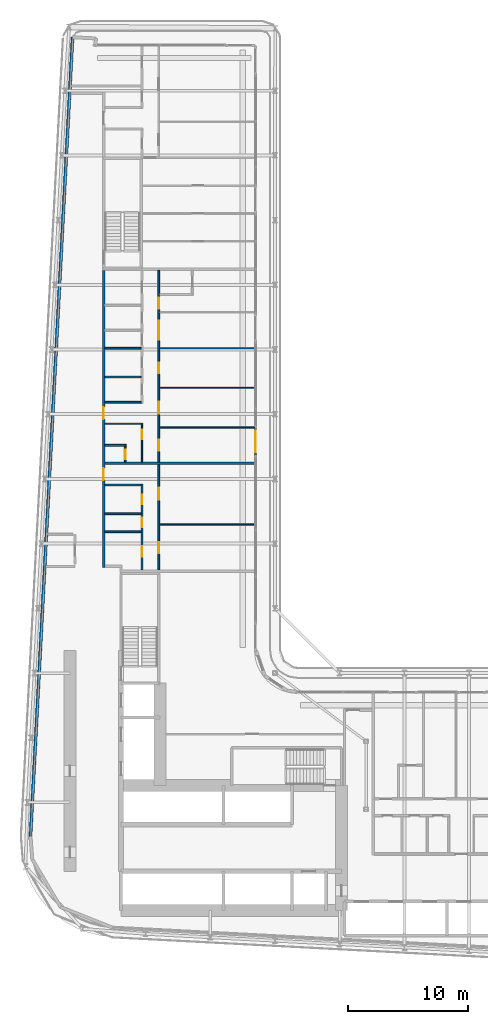
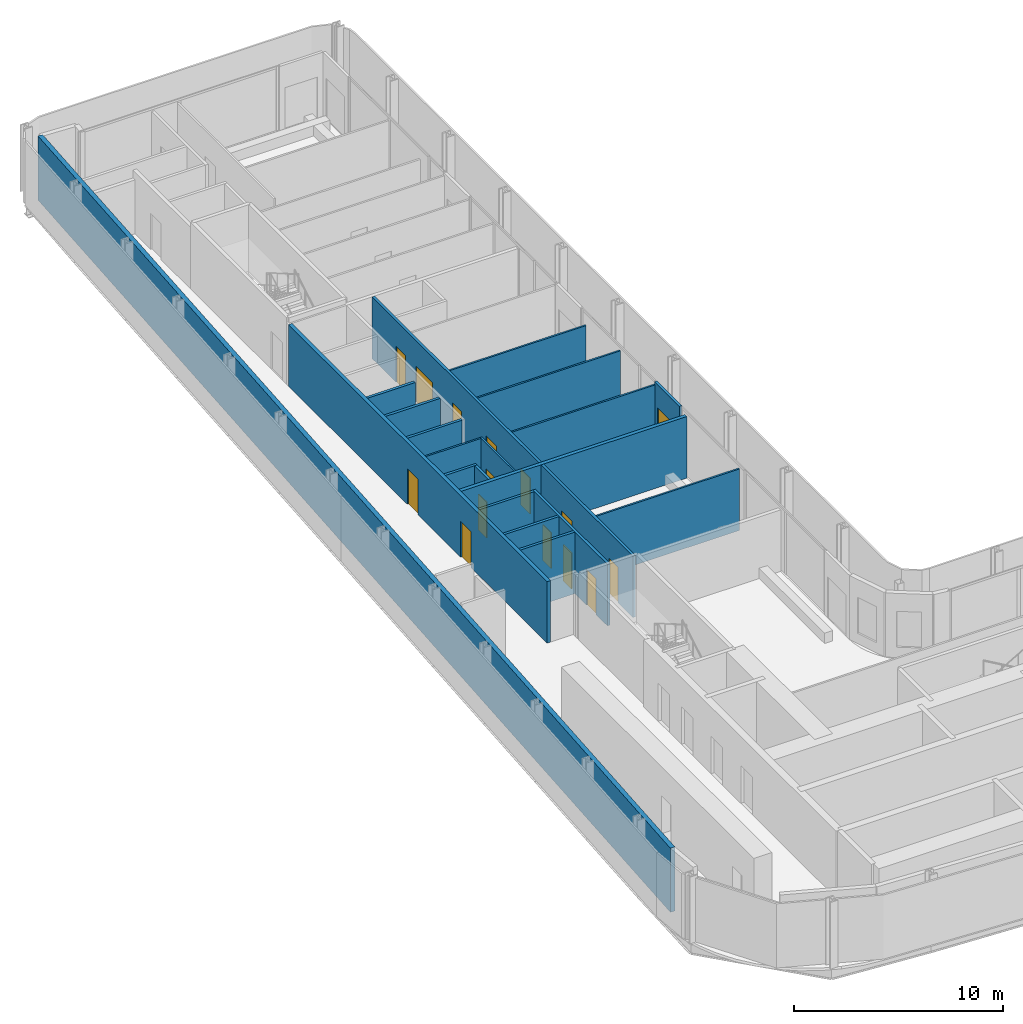
# One storey, part 17 of 28: 21 walls, 15 doors, 15 openings.
"""IFC4 building model written with IfcOpenShell, lengths in metres."""

from ifc_helpers import new_model, si_unit, direction, frame, frame_2d, origin, place, context, subcontext, project, spatial, rectangle, extrude, source, transform, mapped, material, layer, layer_set, type_object, element, fill, save


model = new_model("IFC4")

# Units and contexts
model_context = context("Model", 3, precision=1e-05, world=origin(), true_north=direction((0.0, 1.0)))
body_context = subcontext(model_context, "Body", "Model", "MODEL_VIEW")
ifc_project = project(units=[si_unit("LENGTHUNIT", "METRE"), si_unit("AREAUNIT", "SQUARE_METRE"), si_unit("VOLUMEUNIT", "CUBIC_METRE"), si_unit("PLANEANGLEUNIT", "RADIAN"), si_unit("MASSUNIT", "GRAM", prefix="KILO")], contexts=[model_context])

# Site, building, storey
site_placement = place(None, origin())
site = spatial("IfcSite", under=ifc_project, at=site_placement, CompositionType="ELEMENT")
building_placement = place(site_placement, origin())
building = spatial("IfcBuilding", under=site, at=building_placement, Name="Kheshtan School and Residences Tower", CompositionType="ELEMENT")
storey_placement = place(building_placement, frame((0.0, 0.0, 73.39990234375)))
storey = spatial("IfcBuildingStorey", under=building, at=storey_placement, Name="L17", CompositionType="ELEMENT", Elevation=73.39990234375)

# Wall, openings, doors
ifc_material_1 = material(Name="Gypsum board on steel studs with fire boards", Category="steel")
ifc_layer_1 = layer(ifc_material_1, 0.199951171875)
ifc_layer_set_1 = layer_set([ifc_layer_1], Name="Corridor wall 200")
wall_type_1 = type_object("IfcWallType", Name="Corridor wall 200", PredefinedType="PARTITIONING", material=ifc_layer_set_1)
wall_1_placement = place(storey_placement, frame((33.300048828125, 54.39990234375, 0.0), z_axis=(0.0, 0.0, 1.0), x_axis=(0.0, 1.0, 0.0)))
wall_1 = element("IfcWall", 1, at=wall_1_placement, inside=storey, type_object=wall_type_1, Name="Partition L17-004", PredefinedType="PARTITIONING", context=body_context, shape_type="SweptSolid", body=[
    extrude(rectangle(XDim=24.800048828125, YDim=0.199951171875, at=frame_2d((12.39990234375, 0.0))), origin(), (0.0, 0.0, 1.0), 3.60009765625),
])
opening_1_placement = place(wall_1_placement, frame((7.300048828125, 0.0, 0.0)))
opening_1 = element("IfcOpeningElement", 2, at=opening_1_placement, cuts=wall_1, Name="Opening D17-038", PredefinedType="OPENING", context=body_context, shape_type="SweptSolid", body=[
    extrude(rectangle(XDim=1.0, YDim=2.10009765625, at=frame_2d((0.5, 1.050048828125))), frame((0.0, 0.10986328125, 0.0), z_axis=(0.0, -1.0, 0.0), x_axis=(1.0, 0.0, 0.0)), (0.0, 0.0, 1.0), 0.219970703125),
])
opening_2_placement = place(wall_1_placement, frame((12.39990234375, 0.0, 0.0)))
opening_2 = element("IfcOpeningElement", 3, at=opening_2_placement, cuts=wall_1, Name="Opening D17-048", PredefinedType="OPENING", context=body_context, shape_type="SweptSolid", body=[
    extrude(rectangle(XDim=1.0, YDim=2.10009765625, at=frame_2d((0.5, 1.050048828125))), frame((0.0, 0.10986328125, 0.0), z_axis=(0.0, -1.0, 0.0), x_axis=(1.0, 0.0, 0.0)), (0.0, 0.0, 1.0), 0.219970703125),
])
ifc_material_2 = material(Name="Steel-framed fire-resisting door leaf", Category="steel")
door_type_1 = type_object("IfcDoorType", Name="Fire door FD30S 1000 x 2100", OperationType="SINGLE_SWING_LEFT", PredefinedType="DOOR", material=ifc_material_2)
shared_shape_1 = source(origin(), body_context, "Body", "SweptSolid", [
    extrude(rectangle(XDim=1.0, YDim=2.10009765625, at=frame_2d((0.5, 1.050048828125))), frame((0.0, 0.02490234375, 0.0), z_axis=(0.0, -1.0, 0.0), x_axis=(1.0, 0.0, 0.0)), (0.0, 0.0, 1.0), 0.050048828125),
])
door_1_placement = place(opening_1_placement, origin())
door_1 = element("IfcDoor", 4, at=door_1_placement, inside=storey, type_object=door_type_1, Name="Door D17-038", OperationType="SINGLE_SWING_RIGHT", OverallHeight=2.10009765625, OverallWidth=1.0, PredefinedType="DOOR", context=body_context, shape_type="MappedRepresentation", body=[
    mapped(shared_shape_1, transform((0.0, 0.0, 0.0), x_axis=(1.0, 0.0, 0.0), y_axis=(0.0, 1.0, 0.0), z_axis=(0.0, 0.0, 1.0), scale=1.0)),
])
fill(opening_1, door_1)
door_2_placement = place(opening_2_placement, origin())
door_2 = element("IfcDoor", 5, at=door_2_placement, inside=storey, type_object=door_type_1, Name="Door D17-048", OperationType="SINGLE_SWING_LEFT", OverallHeight=2.10009765625, OverallWidth=1.0, PredefinedType="DOOR", context=body_context, shape_type="MappedRepresentation", body=[
    mapped(shared_shape_1, transform((0.0, 0.0, 0.0), x_axis=(1.0, 0.0, 0.0), y_axis=(0.0, 1.0, 0.0), z_axis=(0.0, 0.0, 1.0), scale=1.0)),
])
fill(opening_2, door_2)

# Wall
ifc_material_3 = material(Name="Concrete C40/50 with ceramic cladding and mineral wool insulation", Category="concrete")
ifc_layer_2 = layer(ifc_material_3, 0.25)
ifc_layer_set_2 = layer_set([ifc_layer_2], Name="External wall 250 ceramic clad")
wall_type_2 = type_object("IfcWallType", Name="External wall 250 ceramic clad", PredefinedType="SOLIDWALL", material=ifc_layer_set_2)
wall_2_placement = place(storey_placement, frame((27.195068359375, 31.968994140625, 0.0), z_axis=(0.0, 0.0, 1.0), x_axis=(0.052554995867, 0.998618031286, 0.0)))
element("IfcWall", 6, at=wall_2_placement, inside=storey, type_object=wall_type_2, Name="External wall L17 4", PredefinedType="SOLIDWALL", context=body_context, shape_type="SweptSolid", body=[
    extrude(rectangle(XDim=66.787353515625, YDim=0.25, at=frame_2d((33.3935546875, 0.0))), origin(), (0.0, 0.0, 1.0), 3.75),
])

# Wall, opening, door
ifc_material_4 = material(Name="Aluminium frame wall with insulated infill", Category="aluminium")
ifc_layer_3 = layer(ifc_material_4, 0.14990234375)
ifc_layer_set_3 = layer_set([ifc_layer_3], Name="Glazing frame wall 150")
wall_type_3 = type_object("IfcWallType", Name="Glazing frame wall 150", PredefinedType="SOLIDWALL", material=ifc_layer_set_3)
wall_3_placement = place(storey_placement, frame((45.97509765625, 66.117919921875, 0.0), z_axis=(0.0, 0.0, 1.0), x_axis=(0.0, -1.0, 0.0)))
wall_3 = element("IfcWall", 7, at=wall_3_placement, inside=storey, type_object=wall_type_3, Name="Balcony door wall L17 8.4", PredefinedType="SOLIDWALL", context=body_context, shape_type="SweptSolid", body=[
    extrude(rectangle(XDim=2.39990234375, YDim=0.14990234375, at=frame_2d((1.199951171875, 0.0))), origin(), (0.0, 0.0, 1.0), 3.75),
])
opening_3_placement = place(wall_3_placement, frame((0.300048828125, 0.0, 0.0)))
opening_3 = element("IfcOpeningElement", 8, at=opening_3_placement, cuts=wall_3, Name="Opening BD", PredefinedType="OPENING", context=body_context, shape_type="SweptSolid", body=[
    extrude(rectangle(XDim=1.800048828125, YDim=2.39990234375, at=frame_2d((0.89990234375, 1.199951171875))), frame((0.0, 0.0849609375, 0.0), z_axis=(0.0, -1.0, 0.0), x_axis=(1.0, 0.0, 0.0)), (0.0, 0.0, 1.0), 0.169921875),
])
ifc_material_5 = material(Name="Clear low-e glass in thermally broken aluminium frame", Category="aluminium")
door_type_2 = type_object("IfcDoorType", Name="Balcony sliding door", OperationType="SLIDING_TO_LEFT", PredefinedType="DOOR", material=ifc_material_5)
shared_shape_2 = source(origin(), body_context, "Body", "SweptSolid", [
    extrude(rectangle(XDim=1.800048828125, YDim=2.39990234375, at=frame_2d((0.89990234375, 1.199951171875))), frame((0.0, 0.02490234375, 0.0), z_axis=(0.0, -1.0, 0.0), x_axis=(1.0, 0.0, 0.0)), (0.0, 0.0, 1.0), 0.050048828125),
])
door_3_placement = place(opening_3_placement, origin())
door_3 = element("IfcDoor", 9, at=door_3_placement, inside=storey, type_object=door_type_2, Name="Balcony door L17 8.4", OperationType="SLIDING_TO_LEFT", OverallHeight=2.39990234375, OverallWidth=1.800048828125, PredefinedType="DOOR", context=body_context, shape_type="MappedRepresentation", body=[
    mapped(shared_shape_2, transform((0.0, 0.0, 0.0), x_axis=(1.0, 0.0, 0.0), y_axis=(0.0, 1.0, 0.0), z_axis=(0.0, 0.0, 1.0), scale=1.0)),
])
fill(opening_3, door_3)

# Wall
ifc_material_6 = material(Name="Gypsum board on steel studs", Category="steel")
ifc_layer_4 = layer(ifc_material_6, 0.10009765625)
ifc_layer_set_4 = layer_set([ifc_layer_4], Name="Gypsum partition 100")
wall_type_4 = type_object("IfcWallType", Name="Gypsum partition 100", PredefinedType="PARTITIONING", material=ifc_layer_set_4)
wall_4_placement = place(storey_placement, frame((33.39990234375, 66.39990234375, 0.0), z_axis=(0.0, 0.0, 1.0), x_axis=(1.0, 0.0, 0.0)))
element("IfcWall", 10, at=wall_4_placement, inside=storey, type_object=wall_type_4, Name="Partition L17-012", PredefinedType="PARTITIONING", context=body_context, shape_type="SweptSolid", body=[
    extrude(rectangle(XDim=3.050048828125, YDim=0.10009765625, at=frame_2d((1.52490234375, 0.0))), origin(), (0.0, 0.0, 1.0), 3.60009765625),
])

# Wall, opening, door
wall_5_placement = place(storey_placement, frame((36.5, 63.199951171875, 0.0), z_axis=(0.0, 0.0, 1.0), x_axis=(0.0, 1.0, 0.0)))
wall_5 = element("IfcWall", 11, at=wall_5_placement, inside=storey, type_object=wall_type_4, Name="Partition L17-024", PredefinedType="PARTITIONING", context=body_context, shape_type="SweptSolid", body=[
    extrude(rectangle(XDim=3.25, YDim=0.10009765625, at=frame_2d((1.625, 0.0))), origin(), (0.0, 0.0, 1.0), 3.60009765625),
])
opening_4_placement = place(wall_5_placement, frame((1.89990234375, 0.0, 0.0)))
opening_4 = element("IfcOpeningElement", 12, at=opening_4_placement, cuts=wall_5, Name="Opening D17-051", PredefinedType="OPENING", context=body_context, shape_type="SweptSolid", body=[
    extrude(rectangle(XDim=0.800048828125, YDim=2.10009765625, at=frame_2d((0.39990234375, 1.050048828125))), frame((0.0, 0.06005859375, 0.0), z_axis=(0.0, -1.0, 0.0), x_axis=(1.0, 0.0, 0.0)), (0.0, 0.0, 1.0), 0.1201171875),
])
ifc_material_7 = material(Name="Veneered timber door leaf", Category="wood")
door_type_3 = type_object("IfcDoorType", Name="Door 800 x 2100", OperationType="SINGLE_SWING_LEFT", PredefinedType="DOOR", material=ifc_material_7)
shared_shape_3 = source(origin(), body_context, "Body", "SweptSolid", [
    extrude(rectangle(XDim=0.800048828125, YDim=2.10009765625, at=frame_2d((0.39990234375, 1.050048828125))), frame((0.0, 0.02490234375, 0.0), z_axis=(0.0, -1.0, 0.0), x_axis=(1.0, 0.0, 0.0)), (0.0, 0.0, 1.0), 0.050048828125),
])
door_4_placement = place(opening_4_placement, origin())
door_4 = element("IfcDoor", 13, at=door_4_placement, inside=storey, type_object=door_type_3, Name="Door D17-051", OperationType="SINGLE_SWING_RIGHT", OverallHeight=2.10009765625, OverallWidth=0.800048828125, PredefinedType="DOOR", context=body_context, shape_type="MappedRepresentation", body=[
    mapped(shared_shape_3, transform((0.0, 0.0, 0.0), x_axis=(1.0, 0.0, 0.0), y_axis=(0.0, 1.0, 0.0), z_axis=(0.0, 0.0, 1.0), scale=1.0)),
])
fill(opening_4, door_4)

# Walls
for number, where, z_axis, x_axis, name in (
    (14, (37.97509765625, 58.0, 0.0), (0.0, 0.0, 1.0), (1.0, 0.0, 0.0), "Partition L17-036"),
    (15, (37.97509765625, 66.10009765625, 0.0), (0.0, 0.0, 1.0), (1.0, 0.0, 0.0), "Partition L17-037"),
    (16, (37.97509765625, 69.39990234375, 0.0), (0.0, 0.0, 1.0), (1.0, 0.0, 0.0), "Partition L17-038"),
):
    element("IfcWall", number, at=place(storey_placement, frame(where, z_axis=z_axis, x_axis=x_axis)), inside=storey, type_object=wall_type_4, Name=name, PredefinedType="PARTITIONING", context=body_context, shape_type="SweptSolid", body=[
        extrude(rectangle(XDim=7.9248046875, YDim=0.10009765625, at=frame_2d((3.96240234375, 0.0))), origin(), (0.0, 0.0, 1.0), 3.60009765625),
    ])
wall_6_placement = place(storey_placement, frame((37.97509765625, 72.699951171875, 0.0), z_axis=(0.0, 0.0, 1.0), x_axis=(1.0, 0.0, 0.0)))
element("IfcWall", 17, at=wall_6_placement, inside=storey, type_object=wall_type_4, Name="Partition L17-039", PredefinedType="PARTITIONING", context=body_context, shape_type="SweptSolid", body=[
    extrude(rectangle(XDim=7.9248046875, YDim=0.10009765625, at=frame_2d((3.96240234375, 0.0))), origin(), (0.0, 0.0, 1.0), 3.072021484375),
])
ifc_material_8 = material(Name="Twin gypsum board on steel studs with mineral wool", Category="steel")
ifc_layer_5 = layer(ifc_material_8, 0.199951171875)
ifc_layer_set_5 = layer_set([ifc_layer_5], Name="Unit demising wall 200")
wall_type_5 = type_object("IfcWallType", Name="Unit demising wall 200", PredefinedType="PARTITIONING", material=ifc_layer_set_5)
wall_7_placement = place(storey_placement, frame((33.39990234375, 63.10009765625, 0.0), z_axis=(0.0, 0.0, 1.0), x_axis=(1.0, 0.0, 0.0)))
element("IfcWall", 18, at=wall_7_placement, inside=storey, type_object=wall_type_5, Name="Partition L17-010", PredefinedType="PARTITIONING", context=body_context, shape_type="SweptSolid", body=[
    extrude(rectangle(XDim=12.5, YDim=0.199951171875, at=frame_2d((6.25, 0.0))), origin(), (0.0, 0.0, 1.0), 3.60009765625),
])
ifc_material_9 = material(Name="Moisture-resistant gypsum board on steel studs", Category="steel")
ifc_layer_6 = layer(ifc_material_9, 0.14990234375)
ifc_layer_set_6 = layer_set([ifc_layer_6], Name="Wet-room partition 150")
wall_type_6 = type_object("IfcWallType", Name="Wet-room partition 150", PredefinedType="PARTITIONING", material=ifc_layer_set_6)
for number, where, z_axis, x_axis, name in (
    (19, (33.39990234375, 57.39990234375, 0.0), (0.0, 0.0, 1.0), (1.0, 0.0, 0.0), "Partition L17-007"),
    (20, (33.39990234375, 58.89990234375, 0.0), (0.0, 0.0, 1.0), (1.0, 0.0, 0.0), "Partition L17-008"),
    (21, (33.39990234375, 61.300048828125, 0.0), (0.0, 0.0, 1.0), (1.0, 0.0, 0.0), "Partition L17-009"),
):
    element("IfcWall", number, at=place(storey_placement, frame(where, z_axis=z_axis, x_axis=x_axis)), inside=storey, type_object=wall_type_6, Name=name, PredefinedType="PARTITIONING", context=body_context, shape_type="SweptSolid", body=[
        extrude(rectangle(XDim=3.025146484375, YDim=0.14990234375, at=frame_2d((1.5126953125, 0.0))), origin(), (0.0, 0.0, 1.0), 3.60009765625),
    ])
wall_8_placement = place(storey_placement, frame((33.39990234375, 64.60009765625, 0.0), z_axis=(0.0, 0.0, 1.0), x_axis=(1.0, 0.0, 0.0)))
element("IfcWall", 22, at=wall_8_placement, inside=storey, type_object=wall_type_6, Name="Partition L17-011", PredefinedType="PARTITIONING", context=body_context, shape_type="SweptSolid", body=[
    extrude(rectangle(XDim=1.775146484375, YDim=0.14990234375, at=frame_2d((0.8876953125, 0.0))), origin(), (0.0, 0.0, 1.0), 3.60009765625),
])
for number, where, z_axis, x_axis, name in (
    (23, (33.39990234375, 68.199951171875, 0.0), (0.0, 0.0, 1.0), (1.0, 0.0, 0.0), "Partition L17-013"),
    (24, (33.39990234375, 70.300048828125, 0.0), (0.0, 0.0, 1.0), (1.0, 0.0, 0.0), "Partition L17-014"),
):
    element("IfcWall", number, at=place(storey_placement, frame(where, z_axis=z_axis, x_axis=x_axis)), inside=storey, type_object=wall_type_6, Name=name, PredefinedType="PARTITIONING", context=body_context, shape_type="SweptSolid", body=[
        extrude(rectangle(XDim=3.025146484375, YDim=0.14990234375, at=frame_2d((1.5126953125, 0.0))), origin(), (0.0, 0.0, 1.0), 3.60009765625),
    ])
wall_9_placement = place(storey_placement, frame((33.39990234375, 72.699951171875, 0.0), z_axis=(0.0, 0.0, 1.0), x_axis=(1.0, 0.0, 0.0)))
element("IfcWall", 25, at=wall_9_placement, inside=storey, type_object=wall_type_6, Name="Partition L17-015", PredefinedType="PARTITIONING", context=body_context, shape_type="SweptSolid", body=[
    extrude(rectangle(XDim=3.025146484375, YDim=0.14990234375, at=frame_2d((1.5126953125, 0.0))), origin(), (0.0, 0.0, 1.0), 3.072021484375),
])

# Wall, opening, door
wall_10_placement = place(storey_placement, frame((35.10009765625, 63.199951171875, 0.0), z_axis=(0.0, 0.0, 1.0), x_axis=(0.0, 1.0, 0.0)))
wall_10 = element("IfcWall", 26, at=wall_10_placement, inside=storey, type_object=wall_type_6, Name="Partition L17-022", PredefinedType="PARTITIONING", context=body_context, shape_type="SweptSolid", body=[
    extrude(rectangle(XDim=1.324951171875, YDim=0.14990234375, at=frame_2d((0.66259765625, 0.0))), origin(), (0.0, 0.0, 1.0), 3.60009765625),
])
opening_5_placement = place(wall_10_placement, frame((0.25, 0.0, 0.0)))
opening_5 = element("IfcOpeningElement", 27, at=opening_5_placement, cuts=wall_10, Name="Opening D17-052", PredefinedType="OPENING", context=body_context, shape_type="SweptSolid", body=[
    extrude(rectangle(XDim=0.800048828125, YDim=2.10009765625, at=frame_2d((0.39990234375, 1.050048828125))), frame((0.0, 0.0849609375, 0.0), z_axis=(0.0, -1.0, 0.0), x_axis=(1.0, 0.0, 0.0)), (0.0, 0.0, 1.0), 0.169921875),
])
door_5_placement = place(opening_5_placement, origin())
door_5 = element("IfcDoor", 28, at=door_5_placement, inside=storey, type_object=door_type_3, Name="Door D17-052", OperationType="SINGLE_SWING_RIGHT", OverallHeight=2.10009765625, OverallWidth=0.800048828125, PredefinedType="DOOR", context=body_context, shape_type="MappedRepresentation", body=[
    mapped(shared_shape_3, transform((0.0, 0.0, 0.0), x_axis=(1.0, 0.0, 0.0), y_axis=(0.0, 1.0, 0.0), z_axis=(0.0, 0.0, 1.0), scale=1.0)),
])
fill(opening_5, door_5)

# Wall, openings, doors
wall_11_placement = place(storey_placement, frame((36.5, 54.199951171875, 0.0), z_axis=(0.0, 0.0, 1.0), x_axis=(0.0, 1.0, 0.0)))
wall_11 = element("IfcWall", 29, at=wall_11_placement, inside=storey, type_object=wall_type_6, Name="Partition L17-023", PredefinedType="PARTITIONING", context=body_context, shape_type="SweptSolid", body=[
    extrude(rectangle(XDim=7.175048828125, YDim=0.14990234375, at=frame_2d((3.58740234375, 0.0))), origin(), (0.0, 0.0, 1.0), 3.60009765625),
])
opening_6_placement = place(wall_11_placement, frame((5.5, 0.0, 0.0)))
opening_6 = element("IfcOpeningElement", 30, at=opening_6_placement, cuts=wall_11, Name="Opening D17-036", PredefinedType="OPENING", context=body_context, shape_type="SweptSolid", body=[
    extrude(rectangle(XDim=0.800048828125, YDim=2.10009765625, at=frame_2d((0.39990234375, 1.050048828125))), frame((0.0, 0.0849609375, 0.0), z_axis=(0.0, -1.0, 0.0), x_axis=(1.0, 0.0, 0.0)), (0.0, 0.0, 1.0), 0.169921875),
])
opening_7_placement = place(wall_11_placement, frame((1.10009765625, 0.0, 0.0)))
opening_7 = element("IfcOpeningElement", 31, at=opening_7_placement, cuts=wall_11, Name="Opening D17-039", PredefinedType="OPENING", context=body_context, shape_type="SweptSolid", body=[
    extrude(rectangle(XDim=0.89990234375, YDim=2.10009765625, at=frame_2d((0.449951171875, 1.050048828125))), frame((0.0, 0.0849609375, 0.0), z_axis=(0.0, -1.0, 0.0), x_axis=(1.0, 0.0, 0.0)), (0.0, 0.0, 1.0), 0.169921875),
])
opening_8_placement = place(wall_11_placement, frame((3.550048828125, 0.0, 0.0)))
opening_8 = element("IfcOpeningElement", 32, at=opening_8_placement, cuts=wall_11, Name="Opening D17-041", PredefinedType="OPENING", context=body_context, shape_type="SweptSolid", body=[
    extrude(rectangle(XDim=0.800048828125, YDim=2.10009765625, at=frame_2d((0.39990234375, 1.050048828125))), frame((0.0, 0.0849609375, 0.0), z_axis=(0.0, -1.0, 0.0), x_axis=(1.0, 0.0, 0.0)), (0.0, 0.0, 1.0), 0.169921875),
])
door_6_placement = place(opening_6_placement, origin())
door_6 = element("IfcDoor", 33, at=door_6_placement, inside=storey, type_object=door_type_3, Name="Door D17-036", OperationType="SINGLE_SWING_LEFT", OverallHeight=2.10009765625, OverallWidth=0.800048828125, PredefinedType="DOOR", context=body_context, shape_type="MappedRepresentation", body=[
    mapped(shared_shape_3, transform((0.0, 0.0, 0.0), x_axis=(1.0, 0.0, 0.0), y_axis=(0.0, 1.0, 0.0), z_axis=(0.0, 0.0, 1.0), scale=1.0)),
])
fill(opening_6, door_6)
door_7_placement = place(opening_8_placement, origin())
door_7 = element("IfcDoor", 34, at=door_7_placement, inside=storey, type_object=door_type_3, Name="Door D17-041", OperationType="SINGLE_SWING_RIGHT", OverallHeight=2.10009765625, OverallWidth=0.800048828125, PredefinedType="DOOR", context=body_context, shape_type="MappedRepresentation", body=[
    mapped(shared_shape_3, transform((0.0, 0.0, 0.0), x_axis=(1.0, 0.0, 0.0), y_axis=(0.0, 1.0, 0.0), z_axis=(0.0, 0.0, 1.0), scale=1.0)),
])
fill(opening_8, door_7)
door_type_4 = type_object("IfcDoorType", Name="Door 900 x 2100", OperationType="SINGLE_SWING_LEFT", PredefinedType="DOOR", material=ifc_material_7)
shared_shape_4 = source(origin(), body_context, "Body", "SweptSolid", [
    extrude(rectangle(XDim=0.89990234375, YDim=2.10009765625, at=frame_2d((0.449951171875, 1.050048828125))), frame((0.0, 0.02490234375, 0.0), z_axis=(0.0, -1.0, 0.0), x_axis=(1.0, 0.0, 0.0)), (0.0, 0.0, 1.0), 0.050048828125),
])
door_8_placement = place(opening_7_placement, origin())
door_8 = element("IfcDoor", 35, at=door_8_placement, inside=storey, type_object=door_type_4, Name="Door D17-039", OperationType="SINGLE_SWING_LEFT", OverallHeight=2.10009765625, OverallWidth=0.89990234375, PredefinedType="DOOR", context=body_context, shape_type="MappedRepresentation", body=[
    mapped(shared_shape_4, transform((0.0, 0.0, 0.0), x_axis=(1.0, 0.0, 0.0), y_axis=(0.0, 1.0, 0.0), z_axis=(0.0, 0.0, 1.0), scale=1.0)),
])
fill(opening_7, door_8)

wall_12_placement = place(storey_placement, frame((37.89990234375, 54.199951171875, 0.0), z_axis=(0.0, 0.0, 1.0), x_axis=(0.0, 1.0, 0.0)))
wall_12 = element("IfcWall", 36, at=wall_12_placement, inside=storey, type_object=wall_type_6, Name="Partition L17-032", PredefinedType="PARTITIONING", context=body_context, shape_type="SweptSolid", body=[
    extrude(rectangle(XDim=8.800048828125, YDim=0.14990234375, at=frame_2d((4.39990234375, 0.0))), origin(), (0.0, 0.0, 1.0), 3.60009765625),
])
opening_9_placement = place(wall_12_placement, frame((1.39990234375, 0.0, 0.0)))
opening_9 = element("IfcOpeningElement", 37, at=opening_9_placement, cuts=wall_12, Name="Opening D17-037", PredefinedType="OPENING", context=body_context, shape_type="SweptSolid", body=[
    extrude(rectangle(XDim=0.89990234375, YDim=2.10009765625, at=frame_2d((0.449951171875, 1.050048828125))), frame((0.0, 0.0849609375, 0.0), z_axis=(0.0, -1.0, 0.0), x_axis=(1.0, 0.0, 0.0)), (0.0, 0.0, 1.0), 0.169921875),
])
opening_10_placement = place(wall_12_placement, frame((5.85009765625, 0.0, 0.0)))
opening_10 = element("IfcOpeningElement", 38, at=opening_10_placement, cuts=wall_12, Name="Opening D17-040", PredefinedType="OPENING", context=body_context, shape_type="SweptSolid", body=[
    extrude(rectangle(XDim=1.0, YDim=2.10009765625, at=frame_2d((0.5, 1.050048828125))), frame((0.0, 0.0849609375, 0.0), z_axis=(0.0, -1.0, 0.0), x_axis=(1.0, 0.0, 0.0)), (0.0, 0.0, 1.0), 0.169921875),
])
door_type_5 = type_object("IfcDoorType", Name="Door 1000 x 2100", OperationType="SINGLE_SWING_LEFT", PredefinedType="DOOR", material=ifc_material_7)
shared_shape_5 = source(origin(), body_context, "Body", "SweptSolid", [
    extrude(rectangle(XDim=1.0, YDim=2.10009765625, at=frame_2d((0.5, 1.050048828125))), frame((0.0, 0.02490234375, 0.0), z_axis=(0.0, -1.0, 0.0), x_axis=(1.0, 0.0, 0.0)), (0.0, 0.0, 1.0), 0.050048828125),
])
door_9_placement = place(opening_10_placement, origin())
door_9 = element("IfcDoor", 39, at=door_9_placement, inside=storey, type_object=door_type_5, Name="Door D17-040", OperationType="SINGLE_SWING_RIGHT", OverallHeight=2.10009765625, OverallWidth=1.0, PredefinedType="DOOR", context=body_context, shape_type="MappedRepresentation", body=[
    mapped(shared_shape_5, transform((0.0, 0.0, 0.0), x_axis=(1.0, 0.0, 0.0), y_axis=(0.0, 1.0, 0.0), z_axis=(0.0, 0.0, 1.0), scale=1.0)),
])
fill(opening_10, door_9)
door_10_placement = place(opening_9_placement, origin())
door_10 = element("IfcDoor", 40, at=door_10_placement, inside=storey, type_object=door_type_4, Name="Door D17-037", OperationType="SINGLE_SWING_LEFT", OverallHeight=2.10009765625, OverallWidth=0.89990234375, PredefinedType="DOOR", context=body_context, shape_type="MappedRepresentation", body=[
    mapped(shared_shape_4, transform((0.0, 0.0, 0.0), x_axis=(1.0, 0.0, 0.0), y_axis=(0.0, 1.0, 0.0), z_axis=(0.0, 0.0, 1.0), scale=1.0)),
])
fill(opening_9, door_10)

wall_13_placement = place(storey_placement, frame((37.89990234375, 63.199951171875, 0.0), z_axis=(0.0, 0.0, 1.0), x_axis=(0.0, 1.0, 0.0)))
wall_13 = element("IfcWall", 41, at=wall_13_placement, inside=storey, type_object=wall_type_6, Name="Partition L17-033", PredefinedType="PARTITIONING", context=body_context, shape_type="SweptSolid", body=[
    extrude(rectangle(XDim=16.0, YDim=0.14990234375, at=frame_2d((8.0, 0.0))), origin(), (0.0, 0.0, 1.0), 3.60009765625),
])
opening_11_placement = place(wall_13_placement, frame((0.949951171875, 0.0, 0.0)))
opening_11 = element("IfcOpeningElement", 42, at=opening_11_placement, cuts=wall_13, Name="Opening D17-044", PredefinedType="OPENING", context=body_context, shape_type="SweptSolid", body=[
    extrude(rectangle(XDim=0.89990234375, YDim=2.10009765625, at=frame_2d((0.449951171875, 1.050048828125))), frame((0.0, 0.0849609375, 0.0), z_axis=(0.0, -1.0, 0.0), x_axis=(1.0, 0.0, 0.0)), (0.0, 0.0, 1.0), 0.169921875),
])
opening_12_placement = place(wall_13_placement, frame((7.39990234375, 0.0, 0.0)))
opening_12 = element("IfcOpeningElement", 43, at=opening_12_placement, cuts=wall_13, Name="Opening D17-045", PredefinedType="OPENING", context=body_context, shape_type="SweptSolid", body=[
    extrude(rectangle(XDim=0.89990234375, YDim=2.10009765625, at=frame_2d((0.449951171875, 1.050048828125))), frame((0.0, 0.0849609375, 0.0), z_axis=(0.0, -1.0, 0.0), x_axis=(1.0, 0.0, 0.0)), (0.0, 0.0, 1.0), 0.169921875),
])
opening_13_placement = place(wall_13_placement, frame((4.050048828125, 0.0, 0.0)))
opening_13 = element("IfcOpeningElement", 44, at=opening_13_placement, cuts=wall_13, Name="Opening D17-050", PredefinedType="OPENING", context=body_context, shape_type="SweptSolid", body=[
    extrude(rectangle(XDim=1.0, YDim=2.10009765625, at=frame_2d((0.5, 1.050048828125))), frame((0.0, 0.0849609375, 0.0), z_axis=(0.0, -1.0, 0.0), x_axis=(1.0, 0.0, 0.0)), (0.0, 0.0, 1.0), 0.169921875),
])
opening_14_placement = place(wall_13_placement, frame((10.199951171875, 0.0, 0.0)))
opening_14 = element("IfcOpeningElement", 45, at=opening_14_placement, cuts=wall_13, Name="Opening D17-053", PredefinedType="OPENING", context=body_context, shape_type="SweptSolid", body=[
    extrude(rectangle(XDim=1.60009765625, YDim=2.10009765625, at=frame_2d((0.800048828125, 1.050048828125))), frame((0.0, 0.0849609375, 0.0), z_axis=(0.0, -1.0, 0.0), x_axis=(1.0, 0.0, 0.0)), (0.0, 0.0, 1.0), 0.169921875),
])
opening_15_placement = place(wall_13_placement, frame((12.800048828125, 0.0, 0.0)))
opening_15 = element("IfcOpeningElement", 46, at=opening_15_placement, cuts=wall_13, Name="Opening D17-054", PredefinedType="OPENING", context=body_context, shape_type="SweptSolid", body=[
    extrude(rectangle(XDim=0.89990234375, YDim=2.10009765625, at=frame_2d((0.449951171875, 1.050048828125))), frame((0.0, 0.0849609375, 0.0), z_axis=(0.0, -1.0, 0.0), x_axis=(1.0, 0.0, 0.0)), (0.0, 0.0, 1.0), 0.169921875),
])
door_11_placement = place(opening_13_placement, origin())
door_11 = element("IfcDoor", 47, at=door_11_placement, inside=storey, type_object=door_type_5, Name="Door D17-050", OperationType="SINGLE_SWING_LEFT", OverallHeight=2.10009765625, OverallWidth=1.0, PredefinedType="DOOR", context=body_context, shape_type="MappedRepresentation", body=[
    mapped(shared_shape_5, transform((0.0, 0.0, 0.0), x_axis=(1.0, 0.0, 0.0), y_axis=(0.0, 1.0, 0.0), z_axis=(0.0, 0.0, 1.0), scale=1.0)),
])
fill(opening_13, door_11)
door_12_placement = place(opening_11_placement, origin())
door_12 = element("IfcDoor", 48, at=door_12_placement, inside=storey, type_object=door_type_4, Name="Door D17-044", OperationType="SINGLE_SWING_LEFT", OverallHeight=2.10009765625, OverallWidth=0.89990234375, PredefinedType="DOOR", context=body_context, shape_type="MappedRepresentation", body=[
    mapped(shared_shape_4, transform((0.0, 0.0, 0.0), x_axis=(1.0, 0.0, 0.0), y_axis=(0.0, 1.0, 0.0), z_axis=(0.0, 0.0, 1.0), scale=1.0)),
])
fill(opening_11, door_12)
door_13_placement = place(opening_12_placement, origin())
door_13 = element("IfcDoor", 49, at=door_13_placement, inside=storey, type_object=door_type_4, Name="Door D17-045", OperationType="SINGLE_SWING_LEFT", OverallHeight=2.10009765625, OverallWidth=0.89990234375, PredefinedType="DOOR", context=body_context, shape_type="MappedRepresentation", body=[
    mapped(shared_shape_4, transform((0.0, 0.0, 0.0), x_axis=(1.0, 0.0, 0.0), y_axis=(0.0, 1.0, 0.0), z_axis=(0.0, 0.0, 1.0), scale=1.0)),
])
fill(opening_12, door_13)
door_14_placement = place(opening_15_placement, origin())
door_14 = element("IfcDoor", 50, at=door_14_placement, inside=storey, type_object=door_type_4, Name="Door D17-054", OperationType="SINGLE_SWING_LEFT", OverallHeight=2.10009765625, OverallWidth=0.89990234375, PredefinedType="DOOR", context=body_context, shape_type="MappedRepresentation", body=[
    mapped(shared_shape_4, transform((0.0, 0.0, 0.0), x_axis=(1.0, 0.0, 0.0), y_axis=(0.0, 1.0, 0.0), z_axis=(0.0, 0.0, 1.0), scale=1.0)),
])
fill(opening_15, door_14)
door_type_6 = type_object("IfcDoorType", Name="Double door 1600 x 2100", OperationType="DOUBLE_DOOR_SINGLE_SWING", PredefinedType="DOOR", material=ifc_material_7)
shared_shape_6 = source(origin(), body_context, "Body", "SweptSolid", [
    extrude(rectangle(XDim=1.60009765625, YDim=2.10009765625, at=frame_2d((0.800048828125, 1.050048828125))), frame((0.0, 0.02490234375, 0.0), z_axis=(0.0, -1.0, 0.0), x_axis=(1.0, 0.0, 0.0)), (0.0, 0.0, 1.0), 0.050048828125),
])
door_15_placement = place(opening_14_placement, origin())
door_15 = element("IfcDoor", 51, at=door_15_placement, inside=storey, type_object=door_type_6, Name="Door D17-053", OperationType="DOUBLE_DOOR_SINGLE_SWING", OverallHeight=2.10009765625, OverallWidth=1.60009765625, PredefinedType="DOOR", context=body_context, shape_type="MappedRepresentation", body=[
    mapped(shared_shape_6, transform((0.0, 0.0, 0.0), x_axis=(1.0, 0.0, 0.0), y_axis=(0.0, 1.0, 0.0), z_axis=(0.0, 0.0, 1.0), scale=1.0)),
])
fill(opening_14, door_15)

save(model, "model.ifc")
